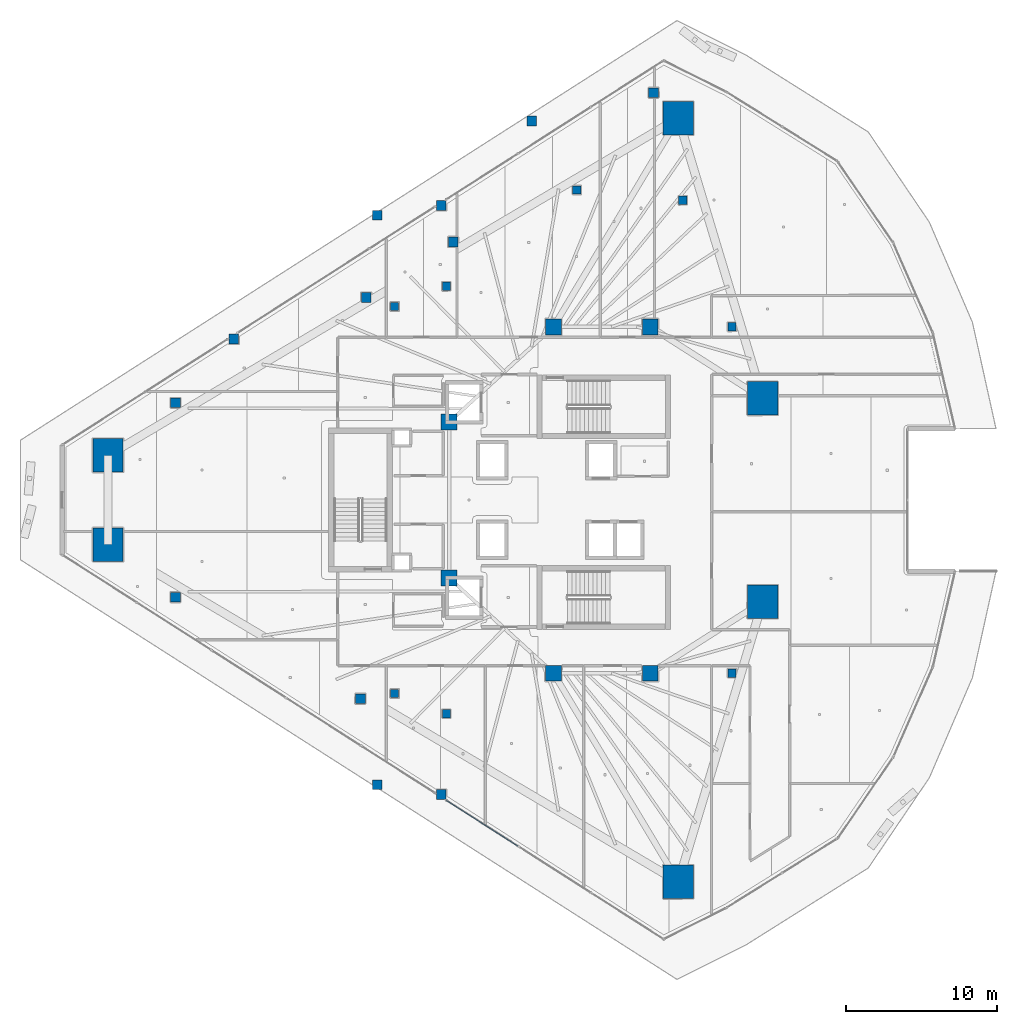
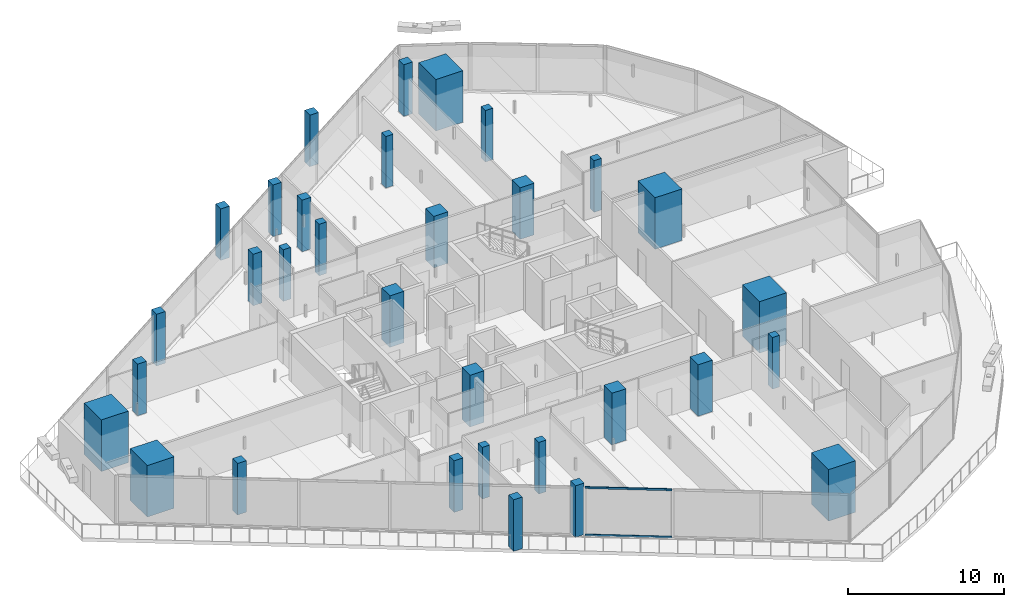
# One storey, part 1 of 35: 32 columns, 2 members, 1 element without a shape of its own.
"""IFC4 building model written with IfcOpenShell, lengths in metres."""

from ifc_helpers import new_model, si_unit, direction, frame, origin, origin_2d, place, context, subcontext, project, spatial, rectangle, hollow_rectangle, extrude, material, layer, layer_set, material_profile, profile_set, type_object, element, aggregate, save


model = new_model("IFC4")

# Units and contexts
model_context = context("Model", 3, precision=1e-05, world=origin(), true_north=direction((0.0, 1.0)))
body_context = subcontext(model_context, "Body", "Model", "MODEL_VIEW")
ifc_project = project(units=[si_unit("LENGTHUNIT", "METRE"), si_unit("AREAUNIT", "SQUARE_METRE"), si_unit("VOLUMEUNIT", "CUBIC_METRE"), si_unit("PLANEANGLEUNIT", "RADIAN"), si_unit("MASSUNIT", "GRAM", prefix="KILO")], contexts=[model_context])

# Site, building, storey
site_placement = place(None, origin())
site = spatial("IfcSite", under=ifc_project, at=site_placement, CompositionType="ELEMENT")
building_placement = place(site_placement, origin())
building = spatial("IfcBuilding", under=site, at=building_placement, Name="Qorvath Tower", CompositionType="ELEMENT")
storey_placement = place(building_placement, frame((0.0, 0.0, 166.5)))
storey = spatial("IfcBuildingStorey", under=building, at=storey_placement, Name="L38", CompositionType="ELEMENT", Elevation=166.5)

# Columns
ifc_material_1 = material(Name="Concrete C70/85", Category="concrete")
ifc_material_profile_1 = material_profile(ifc_material_1, rectangle(XDim=2.0, YDim=2.199951171875, at=origin_2d()), Name="MC 2200x2000")
ifc_profile_set_1 = profile_set([ifc_material_profile_1], Name="Concrete C70/85")
column_type_1 = type_object("IfcColumnType", Name="COL-MC2", PredefinedType="COLUMN", material=ifc_profile_set_1)
for number, where, z_axis, x_axis, name in (
    (1, (-53.04931640625, 2.95068359375, 0.0), (0.0, 0.0, 1.0), (1.0, 0.0, 0.0), "Composite Mega-Column MC1 L38"),
    (2, (-53.04931640625, -2.95068359375, 0.0), (0.0, 0.0, 1.0), (1.0, 0.0, 0.0), "Composite Mega-Column MC2 L38"),
    (3, (-15.34423828125, -25.24609375, 0.0), (0.0, 0.0, 1.0), (1.0, 0.0, 0.0), "Composite Mega-Column MC3 L38"),
    (4, (-9.770263671875, -6.721435546875, 0.0), (0.0, 0.0, 1.0), (1.0, 0.0, 0.0), "Composite Mega-Column MC4 L38"),
    (5, (-9.770263671875, 6.721435546875, 0.0), (0.0, 0.0, 1.0), (1.0, 0.0, 0.0), "Composite Mega-Column MC5 L38"),
    (6, (-15.34423828125, 25.24609375, 0.0), (0.0, 0.0, 1.0), (1.0, 0.0, 0.0), "Composite Mega-Column MC6 L38"),
):
    element("IfcColumn", number, at=place(storey_placement, frame(where, z_axis=z_axis, x_axis=x_axis)), inside=storey, type_object=column_type_1, Name=name, PredefinedType="COLUMN", context=body_context, shape_type="SweptSolid", body=[
        extrude(rectangle(XDim=2.0, YDim=2.199951171875, at=origin_2d()), origin(), (0.0, 0.0, 1.0), 4.050048828125),
    ])
ifc_material_2 = material(Name="Concrete C60/75", Category="concrete")
ifc_material_profile_2 = material_profile(ifc_material_2, rectangle(XDim=1.050048828125, YDim=1.050048828125, at=origin_2d()), Name="RC 1050x1050")
ifc_profile_set_2 = profile_set([ifc_material_profile_2], Name="Concrete C60/75")
column_type_2 = type_object("IfcColumnType", Name="COL-RC2", PredefinedType="COLUMN", material=ifc_profile_set_2)
for number, where, z_axis, x_axis, name in (
    (7, (-23.60009765625, 11.449951171875, 0.0), (0.0, 0.0, 1.0), (1.0, 0.0, 0.0), "Core Spine Column CC1 L38"),
    (8, (-17.199951171875, 11.449951171875, 0.0), (0.0, 0.0, 1.0), (1.0, 0.0, 0.0), "Core Spine Column CC2 L38"),
    (9, (-17.199951171875, -11.449951171875, 0.0), (0.0, 0.0, 1.0), (1.0, 0.0, 0.0), "Core Spine Column CC3 L38"),
    (10, (-23.60009765625, -11.449951171875, 0.0), (0.0, 0.0, 1.0), (1.0, 0.0, 0.0), "Core Spine Column CC4 L38"),
    (11, (-30.5, 5.14990234375, 0.0), (0.0, 0.0, 1.0), (1.0, 0.0, 0.0), "Core Spine Column CC5 L38"),
    (12, (-30.5, -5.14990234375, 0.0), (0.0, 0.0, 1.0), (1.0, 0.0, 0.0), "Core Spine Column CC6 L38"),
):
    element("IfcColumn", number, at=place(storey_placement, frame(where, z_axis=z_axis, x_axis=x_axis)), inside=storey, type_object=column_type_2, Name=name, PredefinedType="COLUMN", context=body_context, shape_type="SweptSolid", body=[
        extrude(rectangle(XDim=1.050048828125, YDim=1.050048828125, at=origin_2d()), origin(), (0.0, 0.0, 1.0), 4.050048828125),
    ])
ifc_material_3 = material(Name="Concrete C45/55", Category="concrete")
ifc_material_profile_3 = material_profile(ifc_material_3, rectangle(XDim=0.64990234375, YDim=0.64990234375, at=origin_2d()), Name="RC 650x650")
ifc_profile_set_3 = profile_set([ifc_material_profile_3], Name="Concrete C45/55")
column_type_3 = type_object("IfcColumnType", Name="COL-RC6", PredefinedType="COLUMN", material=ifc_profile_set_3)
for number, where, z_axis, x_axis, name in (
    (13, (-35.251708984375, 18.829345703125, 0.0), (0.0, 0.0, 1.0), (1.0, 0.0, 0.0), "Loggia Frame Pier Column LGC1 L38"),
    (14, (-35.251708984375, -18.829345703125, 0.0), (0.0, 0.0, 1.0), (1.0, 0.0, 0.0), "Loggia Frame Pier Column LGC2 L38"),
    (15, (-25.03759765625, 25.058837890625, 0.0), (0.0, 0.0, 1.0), (1.0, 0.0, 0.0), "Loggia Frame Pier Column LGC3 L38"),
    (16, (-31.01611328125, 19.46044921875, 0.0), (0.0, 0.0, 1.0), (1.0, 0.0, 0.0), "Loggia Frame Pier Column LGD1 L38"),
    (17, (-31.01611328125, -19.46044921875, 0.0), (0.0, 0.0, 1.0), (1.0, 0.0, 0.0), "Loggia Frame Pier Column LGD2 L38"),
    (18, (-44.736328125, 10.65234375, 0.0), (0.0, 0.0, 1.0), (1.0, 0.0, 0.0), "Loggia Frame Pier Column LGD3 L38"),
    (19, (-48.578369140625, 6.424560546875, 0.0), (0.0, 0.0, 1.0), (1.0, 0.0, 0.0), "Loggia Frame Pier Column LGE1 L38"),
    (20, (-48.578369140625, -6.424560546875, 0.0), (0.0, 0.0, 1.0), (1.0, 0.0, 0.0), "Loggia Frame Pier Column LGE2 L38"),
    (21, (-16.981201171875, 26.92919921875, 0.0), (0.0, 0.0, 1.0), (1.0, 0.0, 0.0), "Loggia Frame Pier Column LGE3 L38"),
    (22, (-35.980712890625, 13.380859375, 0.0), (0.0, 0.0, 1.0), (1.0, 0.0, 0.0), "Loggia Frame Pier Column LGF1 L38"),
    (23, (-36.36474609375, -13.135498046875, 0.0), (0.0, 0.0, 1.0), (1.0, 0.0, 0.0), "Loggia Frame Pier Column LGF2 L38"),
    (24, (-30.224853515625, 17.0595703125, 0.0), (0.0, 0.0, 1.0), (1.0, 0.0, 0.0), "Loggia Frame Pier Column LGF3 L38"),
):
    element("IfcColumn", number, at=place(storey_placement, frame(where, z_axis=z_axis, x_axis=x_axis)), inside=storey, type_object=column_type_3, Name=name, PredefinedType="COLUMN", context=body_context, shape_type="SweptSolid", body=[
        extrude(rectangle(XDim=0.64990234375, YDim=0.64990234375, at=origin_2d()), origin(), (0.0, 0.0, 1.0), 4.050048828125),
    ])
ifc_material_4 = material(Name="Concrete C45/55", Category="concrete")
ifc_material_profile_4 = material_profile(ifc_material_4, rectangle(XDim=0.550048828125, YDim=0.550048828125, at=origin_2d()), Name="RC 550x550")
ifc_profile_set_4 = profile_set([ifc_material_profile_4], Name="Concrete C45/55")
column_type_4 = type_object("IfcColumnType", Name="COL-RC7", PredefinedType="COLUMN", material=ifc_profile_set_4)
for number, where, z_axis, x_axis, name in (
    (25, (-34.104248046875, 12.79248046875, 0.0), (0.0, 0.0, 1.0), (1.0, 0.0, 0.0), "Loggia Frame Pier Column LGG1 L38"),
    (26, (-34.104248046875, -12.79248046875, 0.0), (0.0, 0.0, 1.0), (1.0, 0.0, 0.0), "Loggia Frame Pier Column LGG2 L38"),
    (27, (-22.05322265625, 20.494873046875, 0.0), (0.0, 0.0, 1.0), (1.0, 0.0, 0.0), "Loggia Frame Pier Column LGG3 L38"),
    (28, (-30.67724609375, 14.124267578125, 0.0), (0.0, 0.0, 1.0), (1.0, 0.0, 0.0), "Loggia Frame Pier Column LGH1 L38"),
    (29, (-30.67724609375, -14.124267578125, 0.0), (0.0, 0.0, 1.0), (1.0, 0.0, 0.0), "Loggia Frame Pier Column LGH2 L38"),
    (30, (-15.046142578125, 19.818115234375, 0.0), (0.0, 0.0, 1.0), (1.0, 0.0, 0.0), "Loggia Frame Pier Column LGH3 L38"),
    (31, (-11.800048828125, -11.449951171875, 0.0), (0.0, 0.0, 1.0), (1.0, 0.0, 0.0), "Central Slot Jamb Column SC1 L38"),
    (32, (-11.800048828125, 11.449951171875, 0.0), (0.0, 0.0, 1.0), (1.0, 0.0, 0.0), "Central Slot Jamb Column SC2 L38"),
):
    element("IfcColumn", number, at=place(storey_placement, frame(where, z_axis=z_axis, x_axis=x_axis)), inside=storey, type_object=column_type_4, Name=name, PredefinedType="COLUMN", context=body_context, shape_type="SweptSolid", body=[
        extrude(rectangle(XDim=0.550048828125, YDim=0.550048828125, at=origin_2d()), origin(), (0.0, 0.0, 1.0), 4.050048828125),
    ])

# Curtain wall, members
ifc_material_5 = material(Name="Anodised aluminium and triple low-E glass", Category="aluminium")
ifc_layer = layer(ifc_material_5, 0.179931640625)
ifc_layer_set = layer_set([ifc_layer], Name="CW-SYS-3")
curtain_wall_type = type_object("IfcCurtainWallType", Name="CW-SYS-3", PredefinedType="NOTDEFINED", material=ifc_layer_set)
curtain_wall_placement = place(storey_placement, origin())
curtain_wall = element("IfcCurtainWall", 33, at=curtain_wall_placement, inside=storey, type_object=curtain_wall_type, Name="Curtain Wall CW-3 CW-T-L38-2.2", PredefinedType="NOTDEFINED")
ifc_material_6 = material(Name="Anodised aluminium 6063-T6", Category="aluminium")
ifc_material_profile_5 = material_profile(ifc_material_6, hollow_rectangle(XDim=0.06494140625, YDim=0.159912109375, WallThickness=0.00341796875, InnerFilletRadius=0.00341796875, OuterFilletRadius=0.007080078125, at=origin_2d()), Name="CWT 160x65")
ifc_profile_set_5 = profile_set([ifc_material_profile_5], Name="Anodised aluminium 6063-T6")
member_type = type_object("IfcMemberType", Name="CWT-160", PredefinedType="USERDEFINED", material=ifc_profile_set_5)
member_1_placement = place(storey_placement, frame((-30.679443359375, -19.865234375, 0.032470703125), z_axis=(0.842596345477, -0.538545632783, 0.0), x_axis=(0.538545632783, 0.842596345477, 0.0)))
member_1 = element("IfcMember", 34, at=member_1_placement, type_object=member_type, Name="CW-3 transom 1.1", ObjectType="TRANSOM", PredefinedType="USERDEFINED", context=body_context, shape_type="SweptSolid", body=[
    extrude(hollow_rectangle(XDim=0.06494140625, YDim=0.159912109375, WallThickness=0.00341796875, InnerFilletRadius=0.00341796875, OuterFilletRadius=0.007080078125, at=origin_2d()), origin(), (0.0, 0.0, 1.0), 5.60546875),
])
member_2_placement = place(storey_placement, frame((-30.679443359375, -19.865234375, 3.74755859375), z_axis=(0.842596345477, -0.538545632783, 0.0), x_axis=(0.538545632783, 0.842596345477, 0.0)))
member_2 = element("IfcMember", 35, at=member_2_placement, type_object=member_type, Name="CW-3 transom 1.2", ObjectType="TRANSOM", PredefinedType="USERDEFINED", context=body_context, shape_type="SweptSolid", body=[
    extrude(hollow_rectangle(XDim=0.06494140625, YDim=0.159912109375, WallThickness=0.00341796875, InnerFilletRadius=0.00341796875, OuterFilletRadius=0.007080078125, at=origin_2d()), origin(), (0.0, 0.0, 1.0), 5.60546875),
])
aggregate(curtain_wall, [member_1, member_2])

save(model, "model.ifc")
